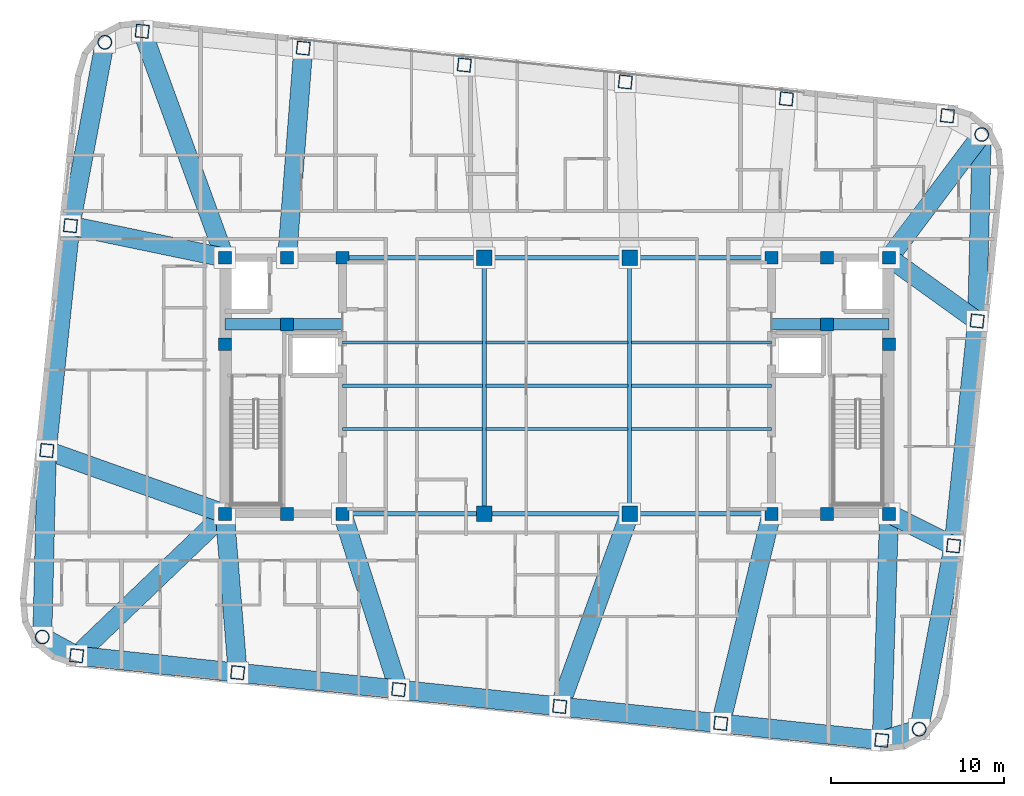
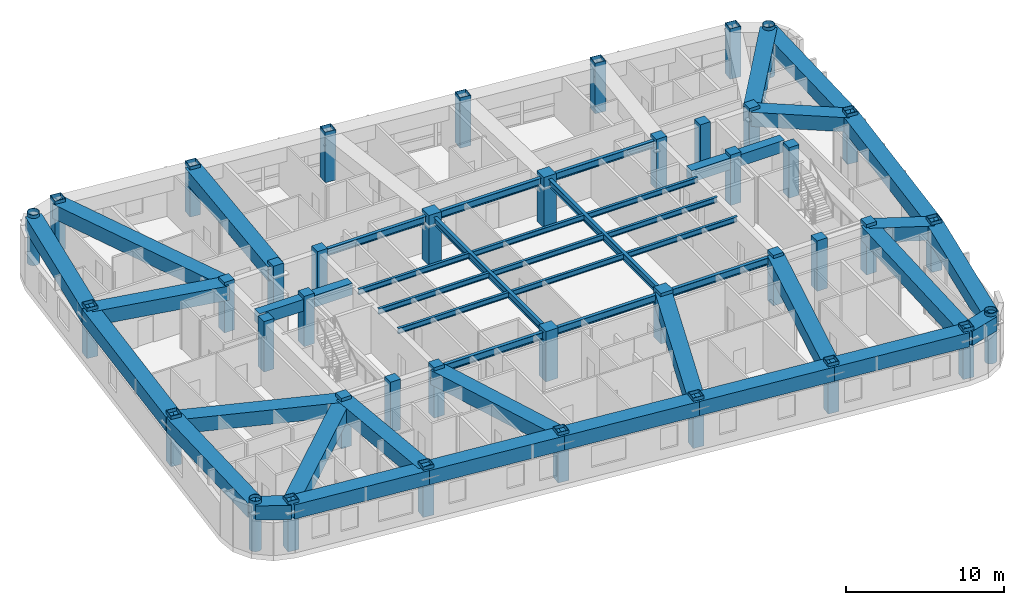
# One storey, part 1 of 16: 45 beams, 40 columns.
"""IFC4 building model written with IfcOpenShell, lengths in metres."""

from ifc_helpers import new_model, si_unit, direction, frame, origin, origin_2d, place, context, subcontext, project, spatial, rectangle, hollow_rectangle, hollow_circle, i_section, extrude, material, material_profile, profile_set, type_object, element, save


model = new_model("IFC4")

# Units and contexts
model_context = context("Model", 3, precision=1e-05, world=origin(), true_north=direction((0.0, 1.0)))
body_context = subcontext(model_context, "Body", "Model", "MODEL_VIEW")
ifc_project = project(units=[si_unit("LENGTHUNIT", "METRE"), si_unit("AREAUNIT", "SQUARE_METRE"), si_unit("VOLUMEUNIT", "CUBIC_METRE"), si_unit("PLANEANGLEUNIT", "RADIAN"), si_unit("MASSUNIT", "GRAM", prefix="KILO")], contexts=[model_context])

# Site, building, storey
site_placement = place(None, origin())
site = spatial("IfcSite", under=ifc_project, at=site_placement, CompositionType="ELEMENT")
building_placement = place(site_placement, origin())
building = spatial("IfcBuilding", under=site, at=building_placement, Name="Voryun Gate Residences", CompositionType="ELEMENT")
storey_placement = place(building_placement, frame((0.0, 0.0, 260.0)))
storey = spatial("IfcBuildingStorey", under=building, at=storey_placement, Name="L64", CompositionType="ELEMENT", Elevation=260.0)

# Columns
ifc_material_1 = material(Name="Concrete C50/60", Category="concrete")
ifc_material_profile_1 = material_profile(ifc_material_1, rectangle(XDim=0.75, YDim=0.75, at=origin_2d()), Name="RC-750x750")
ifc_profile_set_1 = profile_set([ifc_material_profile_1], Name="Concrete C50/60")
column_type_1 = type_object("IfcColumnType", Name="COL_CORE_750", PredefinedType="COLUMN", material=ifc_profile_set_1)
for number, where, z_axis, x_axis, name in (
    (1, (-19.199951171875, -7.39990234375, 0.0), (0.0, 0.0, 1.0), (1.0, 0.0, 0.0), "L64 Core boundary column WC-SW"),
    (2, (-19.199951171875, 2.39990234375, 0.0), (0.0, 0.0, 1.0), (1.0, 0.0, 0.0), "L64 Core boundary column WC-MW"),
    (3, (-19.199951171875, 7.39990234375, 0.0), (0.0, 0.0, 1.0), (1.0, 0.0, 0.0), "L64 Core boundary column WC-NW"),
    (4, (-15.60009765625, -7.39990234375, 0.0), (0.0, 0.0, 1.0), (1.0, 0.0, 0.0), "L64 Core boundary column WC-SM"),
    (5, (-15.60009765625, 7.39990234375, 0.0), (0.0, 0.0, 1.0), (1.0, 0.0, 0.0), "L64 Core boundary column WC-NM"),
    (6, (-12.39990234375, -7.39990234375, 0.0), (0.0, 0.0, 1.0), (1.0, 0.0, 0.0), "L64 Core boundary column WC-SE"),
    (7, (-15.60009765625, 3.550048828125, 0.0), (0.0, 0.0, 1.0), (1.0, 0.0, 0.0), "L64 Core boundary column WC-MM"),
    (8, (-12.39990234375, 7.39990234375, 0.0), (0.0, 0.0, 1.0), (1.0, 0.0, 0.0), "L64 Core boundary column WC-NE"),
    (9, (12.39990234375, -7.39990234375, 0.0), (0.0, 0.0, 1.0), (1.0, 0.0, 0.0), "L64 Core boundary column EC-SW"),
    (10, (15.60009765625, 3.550048828125, 0.0), (0.0, 0.0, 1.0), (1.0, 0.0, 0.0), "L64 Core boundary column EC-MM"),
    (11, (12.39990234375, 7.39990234375, 0.0), (0.0, 0.0, 1.0), (1.0, 0.0, 0.0), "L64 Core boundary column EC-NW"),
    (12, (15.60009765625, -7.39990234375, 0.0), (0.0, 0.0, 1.0), (1.0, 0.0, 0.0), "L64 Core boundary column EC-SM"),
    (13, (15.60009765625, 7.39990234375, 0.0), (0.0, 0.0, 1.0), (1.0, 0.0, 0.0), "L64 Core boundary column EC-NM"),
    (14, (19.199951171875, -7.39990234375, 0.0), (0.0, 0.0, 1.0), (1.0, 0.0, 0.0), "L64 Core boundary column EC-SE"),
    (15, (19.199951171875, 2.39990234375, 0.0), (0.0, 0.0, 1.0), (1.0, 0.0, 0.0), "L64 Core boundary column EC-ME"),
    (16, (19.199951171875, 7.39990234375, 0.0), (0.0, 0.0, 1.0), (1.0, 0.0, 0.0), "L64 Core boundary column EC-NE"),
):
    element("IfcColumn", number, at=place(storey_placement, frame(where, z_axis=z_axis, x_axis=x_axis)), inside=storey, type_object=column_type_1, Name=name, PredefinedType="COLUMN", context=body_context, shape_type="SweptSolid", body=[
        extrude(rectangle(XDim=0.75, YDim=0.75, at=origin_2d()), origin(), (0.0, 0.0, 1.0), 3.89990234375),
    ])
ifc_material_2 = material(Name="Concrete C50/60", Category="concrete")
ifc_material_profile_2 = material_profile(ifc_material_2, rectangle(XDim=0.89990234375, YDim=0.89990234375, at=origin_2d()), Name="RC-900x900")
ifc_profile_set_2 = profile_set([ifc_material_profile_2], Name="Concrete C50/60")
column_type_2 = type_object("IfcColumnType", Name="COL_CORE_900", PredefinedType="COLUMN", material=ifc_profile_set_2)
for number, where, z_axis, x_axis, name in (
    (17, (-4.199951171875, -7.39990234375, 0.0), (0.0, 0.0, 1.0), (1.0, 0.0, 0.0), "L64 Interior spine column SP-WS"),
    (18, (-4.199951171875, 7.39990234375, 0.0), (0.0, 0.0, 1.0), (1.0, 0.0, 0.0), "L64 Interior spine column SP-WN"),
    (19, (4.199951171875, -7.39990234375, 0.0), (0.0, 0.0, 1.0), (1.0, 0.0, 0.0), "L64 Interior spine column SP-ES"),
    (20, (4.199951171875, 7.39990234375, 0.0), (0.0, 0.0, 1.0), (1.0, 0.0, 0.0), "L64 Interior spine column SP-EN"),
):
    element("IfcColumn", number, at=place(storey_placement, frame(where, z_axis=z_axis, x_axis=x_axis)), inside=storey, type_object=column_type_2, Name=name, PredefinedType="COLUMN", context=body_context, shape_type="SweptSolid", body=[
        extrude(rectangle(XDim=0.89990234375, YDim=0.89990234375, at=origin_2d()), origin(), (0.0, 0.0, 1.0), 3.89990234375),
    ])
ifc_material_3 = material(Name="Steel SM355", Category="steel")
ifc_material_profile_3 = material_profile(ifc_material_3, hollow_circle(Radius=0.39990234375, WallThickness=0.028076171875, at=origin_2d()), Name="CHS-800x28")
ifc_profile_set_3 = profile_set([ifc_material_profile_3], Name="Steel SM355")
column_type_3 = type_object("IfcColumnType", Name="COL_CRN_800", PredefinedType="COLUMN", material=ifc_profile_set_3)
for number, where, z_axis, x_axis, name in (
    (21, (20.939453125, -19.855224609375, 0.0), (0.0, 0.0, 1.0), (0.994521895368, -0.104528463268, 0.0), "L64 Exoskeleton column CSE"),
    (22, (24.55322265625, 14.52734375, 0.0), (0.0, 0.0, 1.0), (0.994521895368, -0.104528463268, 0.0), "L64 Exoskeleton column CNE"),
    (23, (-26.139404296875, 19.855224609375, 0.0), (0.0, 0.0, 1.0), (0.994521895368, -0.104528463268, 0.0), "L64 Exoskeleton column CNW"),
    (24, (-29.753173828125, -14.52734375, 0.0), (0.0, 0.0, 1.0), (0.994521895368, -0.104528463268, 0.0), "L64 Exoskeleton column CSW"),
):
    element("IfcColumn", number, at=place(storey_placement, frame(where, z_axis=z_axis, x_axis=x_axis)), inside=storey, type_object=column_type_3, Name=name, PredefinedType="COLUMN", context=body_context, shape_type="SweptSolid", body=[
        extrude(hollow_circle(Radius=0.39990234375, WallThickness=0.028076171875, at=origin_2d()), origin(), (0.0, 0.0, 1.0), 3.89990234375),
    ])
ifc_material_4 = material(Name="Steel SM355", Category="steel")
ifc_material_profile_4 = material_profile(ifc_material_4, hollow_rectangle(XDim=0.75, YDim=0.75, WallThickness=0.02490234375, at=origin_2d()), Name="BOX-750x750x25")
ifc_profile_set_4 = profile_set([ifc_material_profile_4], Name="Steel SM355")
column_type_4 = type_object("IfcColumnType", Name="COL_EXO_B5", PredefinedType="COLUMN", material=ifc_profile_set_4)
for number, where, z_axis, x_axis, name in (
    (25, (-27.76904296875, -15.6044921875, 0.0), (0.0, 0.0, 1.0), (0.994521895368, -0.104528463268, 0.0), "L64 Exoskeleton column S1"),
    (26, (-18.460205078125, -16.5830078125, 0.0), (0.0, 0.0, 1.0), (0.994521895368, -0.104528463268, 0.0), "L64 Exoskeleton column S2"),
    (27, (-9.151611328125, -17.561279296875, 0.0), (0.0, 0.0, 1.0), (0.994521895368, -0.104528463268, 0.0), "L64 Exoskeleton column S3"),
    (28, (0.1572265625, -18.539794921875, 0.0), (0.0, 0.0, 1.0), (0.994521895368, -0.104528463268, 0.0), "L64 Exoskeleton column S4"),
    (29, (9.4658203125, -19.51806640625, 0.0), (0.0, 0.0, 1.0), (0.994521895368, -0.104528463268, 0.0), "L64 Exoskeleton column S5"),
    (30, (18.774658203125, -20.49658203125, 0.0), (0.0, 0.0, 1.0), (0.994521895368, -0.104528463268, 0.0), "L64 Exoskeleton column S6"),
    (31, (22.922607421875, -9.25244140625, 0.0), (0.0, 0.0, 1.0), (0.994521895368, -0.104528463268, 0.0), "L64 Exoskeleton column E1"),
    (32, (24.28857421875, 3.743896484375, 0.0), (0.0, 0.0, 1.0), (0.994521895368, -0.104528463268, 0.0), "L64 Exoskeleton column E2"),
    (33, (22.569091796875, 15.6044921875, 0.0), (0.0, 0.0, 1.0), (0.994521895368, -0.104528463268, 0.0), "L64 Exoskeleton column N1"),
    (34, (13.26025390625, 16.5830078125, 0.0), (0.0, 0.0, 1.0), (0.994521895368, -0.104528463268, 0.0), "L64 Exoskeleton column N2"),
    (35, (3.95166015625, 17.561279296875, 0.0), (0.0, 0.0, 1.0), (0.994521895368, -0.104528463268, 0.0), "L64 Exoskeleton column N3"),
    (36, (-5.357177734375, 18.539794921875, 0.0), (0.0, 0.0, 1.0), (0.994521895368, -0.104528463268, 0.0), "L64 Exoskeleton column N4"),
    (37, (-14.666015625, 19.51806640625, 0.0), (0.0, 0.0, 1.0), (0.994521895368, -0.104528463268, 0.0), "L64 Exoskeleton column N5"),
    (38, (-23.974609375, 20.49658203125, 0.0), (0.0, 0.0, 1.0), (0.994521895368, -0.104528463268, 0.0), "L64 Exoskeleton column N6"),
    (39, (-28.12255859375, 9.25244140625, 0.0), (0.0, 0.0, 1.0), (0.994521895368, -0.104528463268, 0.0), "L64 Exoskeleton column W1"),
    (40, (-29.488525390625, -3.743896484375, 0.0), (0.0, 0.0, 1.0), (0.994521895368, -0.104528463268, 0.0), "L64 Exoskeleton column W2"),
):
    element("IfcColumn", number, at=place(storey_placement, frame(where, z_axis=z_axis, x_axis=x_axis)), inside=storey, type_object=column_type_4, Name=name, PredefinedType="COLUMN", context=body_context, shape_type="SweptSolid", body=[
        extrude(hollow_rectangle(XDim=0.75, YDim=0.75, WallThickness=0.02490234375, at=origin_2d()), origin(), (0.0, 0.0, 1.0), 3.89990234375),
    ])

# Beams
ifc_material_5 = material(Name="Steel SM420", Category="steel")
ifc_material_profile_5 = material_profile(ifc_material_5, hollow_rectangle(XDim=1.10009765625, YDim=1.10009765625, WallThickness=0.035888671875, at=origin_2d()), Name="BOX-1100x1100x36")
ifc_profile_set_5 = profile_set([ifc_material_profile_5], Name="Steel SM420")
beam_type_1 = type_object("IfcBeamType", Name="BM_ARCH_RIB", PredefinedType="USERDEFINED", material=ifc_profile_set_5)
beam_1_placement = place(storey_placement, frame((-27.76904296875, -15.6044921875, 3.10009765625), z_axis=(0.994520592114, -0.104540862157, 0.0), x_axis=(0.104540862157, 0.994520592114, 0.0)))
element("IfcBeam", 41, at=beam_1_placement, inside=storey, type_object=beam_type_1, Name="BM-L64-SPAND-01", ObjectType="GIRDER", PredefinedType="USERDEFINED", context=body_context, shape_type="SweptSolid", body=[
    extrude(hollow_rectangle(XDim=1.10009765625, YDim=1.10009765625, WallThickness=0.035888671875, at=origin_2d()), origin(), (0.0, 0.0, 1.0), 9.360107421875),
])
beam_2_placement = place(storey_placement, frame((-18.460205078125, -16.5830078125, 3.10009765625), z_axis=(0.994523018663, -0.104517775278, 0.0), x_axis=(0.104517775278, 0.994523018663, 0.0)))
element("IfcBeam", 42, at=beam_2_placement, inside=storey, type_object=beam_type_1, Name="BM-L64-SPAND-02", ObjectType="GIRDER", PredefinedType="USERDEFINED", context=body_context, shape_type="SweptSolid", body=[
    extrude(hollow_rectangle(XDim=1.10009765625, YDim=1.10009765625, WallThickness=0.035888671875, at=origin_2d()), origin(), (0.0, 0.0, 1.0), 9.35986328125),
])
beam_3_placement = place(storey_placement, frame((-9.151611328125, -17.561279296875, 3.10009765625), z_axis=(0.994520592114, -0.104540862157, 0.0), x_axis=(0.104540862157, 0.994520592114, 0.0)))
element("IfcBeam", 43, at=beam_3_placement, inside=storey, type_object=beam_type_1, Name="BM-L64-SPAND-03", ObjectType="GIRDER", PredefinedType="USERDEFINED", context=body_context, shape_type="SweptSolid", body=[
    extrude(hollow_rectangle(XDim=1.10009765625, YDim=1.10009765625, WallThickness=0.035888671875, at=origin_2d()), origin(), (0.0, 0.0, 1.0), 9.360107421875),
])
beam_4_placement = place(storey_placement, frame((0.1572265625, -18.539794921875, 3.10009765625), z_axis=(0.994523018663, -0.104517775278, 0.0), x_axis=(0.104517775278, 0.994523018663, 0.0)))
element("IfcBeam", 44, at=beam_4_placement, inside=storey, type_object=beam_type_1, Name="BM-L64-SPAND-04", ObjectType="GIRDER", PredefinedType="USERDEFINED", context=body_context, shape_type="SweptSolid", body=[
    extrude(hollow_rectangle(XDim=1.10009765625, YDim=1.10009765625, WallThickness=0.035888671875, at=origin_2d()), origin(), (0.0, 0.0, 1.0), 9.35986328125),
])
beam_5_placement = place(storey_placement, frame((9.4658203125, -19.51806640625, 3.10009765625), z_axis=(0.994520592114, -0.104540862157, 0.0), x_axis=(0.104540862157, 0.994520592114, 0.0)))
element("IfcBeam", 45, at=beam_5_placement, inside=storey, type_object=beam_type_1, Name="BM-L64-SPAND-05", ObjectType="GIRDER", PredefinedType="USERDEFINED", context=body_context, shape_type="SweptSolid", body=[
    extrude(hollow_rectangle(XDim=1.10009765625, YDim=1.10009765625, WallThickness=0.035888671875, at=origin_2d()), origin(), (0.0, 0.0, 1.0), 9.360107421875),
])
beam_6_placement = place(storey_placement, frame((18.774658203125, -20.49658203125, 3.10009765625), z_axis=(0.958805748412, 0.28406255792, 0.0), x_axis=(-0.28406255792, 0.958805748412, 0.0)))
element("IfcBeam", 46, at=beam_6_placement, inside=storey, type_object=beam_type_1, Name="BM-L64-SPAND-06", ObjectType="GIRDER", PredefinedType="USERDEFINED", context=body_context, shape_type="SweptSolid", body=[
    extrude(hollow_rectangle(XDim=1.10009765625, YDim=1.10009765625, WallThickness=0.035888671875, at=origin_2d()), origin(), (0.0, 0.0, 1.0), 2.2578125),
])
beam_7_placement = place(storey_placement, frame((20.939453125, -19.855224609375, 3.10009765625), z_axis=(0.183852585596, 0.982953827384, 0.0), x_axis=(-0.982953827384, 0.183852585596, 0.0)))
element("IfcBeam", 47, at=beam_7_placement, inside=storey, type_object=beam_type_1, Name="BM-L64-SPAND-07", ObjectType="GIRDER", PredefinedType="USERDEFINED", context=body_context, shape_type="SweptSolid", body=[
    extrude(hollow_rectangle(XDim=1.10009765625, YDim=1.10009765625, WallThickness=0.035888671875, at=origin_2d()), origin(), (0.0, 0.0, 1.0), 10.78662109375),
])
beam_8_placement = place(storey_placement, frame((22.922607421875, -9.25244140625, 3.10009765625), z_axis=(0.104528209082, 0.994521922084, 0.0), x_axis=(-0.994521922084, 0.104528209082, 0.0)))
element("IfcBeam", 48, at=beam_8_placement, inside=storey, type_object=beam_type_1, Name="BM-L64-SPAND-08", ObjectType="GIRDER", PredefinedType="USERDEFINED", context=body_context, shape_type="SweptSolid", body=[
    extrude(hollow_rectangle(XDim=1.10009765625, YDim=1.10009765625, WallThickness=0.035888671875, at=origin_2d()), origin(), (0.0, 0.0, 1.0), 13.06787109375),
])
for number, where, z_axis, x_axis, name in (
    (49, (24.28857421875, 3.743896484375, 3.10009765625), (0.024534711967, 0.999698978647, 0.0), (-0.999698978647, 0.024534711967, 0.0), "BM-L64-SPAND-09"),
    (50, (-26.139404296875, 19.855224609375, 3.10009765625), (-0.183852585596, -0.982953827384, 0.0), (0.982953827384, -0.183852585596, 0.0), "BM-L64-SPAND-17"),
):
    element("IfcBeam", number, at=place(storey_placement, frame(where, z_axis=z_axis, x_axis=x_axis)), inside=storey, type_object=beam_type_1, Name=name, ObjectType="GIRDER", PredefinedType="USERDEFINED", context=body_context, shape_type="SweptSolid", body=[
        extrude(hollow_rectangle(XDim=1.10009765625, YDim=1.10009765625, WallThickness=0.035888671875, at=origin_2d()), origin(), (0.0, 0.0, 1.0), 10.78662109375),
    ])
beam_9_placement = place(storey_placement, frame((-28.12255859375, 9.25244140625, 3.10009765625), z_axis=(-0.104528209082, -0.994521922084, 0.0), x_axis=(0.994521922084, -0.104528209082, 0.0)))
element("IfcBeam", 51, at=beam_9_placement, inside=storey, type_object=beam_type_1, Name="BM-L64-SPAND-18", ObjectType="GIRDER", PredefinedType="USERDEFINED", context=body_context, shape_type="SweptSolid", body=[
    extrude(hollow_rectangle(XDim=1.10009765625, YDim=1.10009765625, WallThickness=0.035888671875, at=origin_2d()), origin(), (0.0, 0.0, 1.0), 13.06787109375),
])
beam_10_placement = place(storey_placement, frame((-29.488525390625, -3.743896484375, 3.10009765625), z_axis=(-0.024534711967, -0.999698978647, 0.0), x_axis=(0.999698978647, -0.024534711967, 0.0)))
element("IfcBeam", 52, at=beam_10_placement, inside=storey, type_object=beam_type_1, Name="BM-L64-SPAND-19", ObjectType="GIRDER", PredefinedType="USERDEFINED", context=body_context, shape_type="SweptSolid", body=[
    extrude(hollow_rectangle(XDim=1.10009765625, YDim=1.10009765625, WallThickness=0.035888671875, at=origin_2d()), origin(), (0.0, 0.0, 1.0), 10.78662109375),
])
beam_11_placement = place(storey_placement, frame((-29.753173828125, -14.52734375, 3.10009765625), z_axis=(0.878844363117, -0.477108567746, 0.0), x_axis=(0.477108567746, 0.878844363117, 0.0)))
element("IfcBeam", 53, at=beam_11_placement, inside=storey, type_object=beam_type_1, Name="BM-L64-SPAND-20", ObjectType="GIRDER", PredefinedType="USERDEFINED", context=body_context, shape_type="SweptSolid", body=[
    extrude(hollow_rectangle(XDim=1.10009765625, YDim=1.10009765625, WallThickness=0.035888671875, at=origin_2d()), origin(), (0.0, 0.0, 1.0), 2.257568359375),
])
beam_12_placement = place(storey_placement, frame((-19.199951171875, -7.39990234375, 3.10009765625), z_axis=(-0.722302104769, -0.691577666966, 0.0), x_axis=(0.691577666966, -0.722302104769, 0.0)))
element("IfcBeam", 54, at=beam_12_placement, inside=storey, type_object=beam_type_1, Name="BM-L64-RAD-S1", ObjectType="GIRDER", PredefinedType="USERDEFINED", context=body_context, shape_type="SweptSolid", body=[
    extrude(hollow_rectangle(XDim=1.10009765625, YDim=1.10009765625, WallThickness=0.035888671875, at=origin_2d()), origin(), (0.0, 0.0, 1.0), 11.863525390625),
])
beam_13_placement = place(storey_placement, frame((-19.199951171875, -7.39990234375, 3.10009765625), z_axis=(0.080295011504, -0.996771142804, 0.0), x_axis=(0.996771142804, 0.080295011504, 0.0)))
element("IfcBeam", 55, at=beam_13_placement, inside=storey, type_object=beam_type_1, Name="BM-L64-RAD-S2", ObjectType="GIRDER", PredefinedType="USERDEFINED", context=body_context, shape_type="SweptSolid", body=[
    extrude(hollow_rectangle(XDim=1.10009765625, YDim=1.10009765625, WallThickness=0.035888671875, at=origin_2d()), origin(), (0.0, 0.0, 1.0), 9.212890625),
])
beam_14_placement = place(storey_placement, frame((-12.39990234375, -7.39990234375, 3.10009765625), z_axis=(0.30449089095, -0.952515247819, 0.0), x_axis=(0.952515247819, 0.30449089095, 0.0)))
element("IfcBeam", 56, at=beam_14_placement, inside=storey, type_object=beam_type_1, Name="BM-L64-RAD-S3", ObjectType="GIRDER", PredefinedType="USERDEFINED", context=body_context, shape_type="SweptSolid", body=[
    extrude(hollow_rectangle(XDim=1.10009765625, YDim=1.10009765625, WallThickness=0.035888671875, at=origin_2d()), origin(), (0.0, 0.0, 1.0), 10.66796875),
])
beam_15_placement = place(storey_placement, frame((4.199951171875, -7.39990234375, 3.10009765625), z_axis=(-0.341135931896, -0.940013976476, 0.0), x_axis=(0.940013976476, -0.341135931896, 0.0)))
element("IfcBeam", 57, at=beam_15_placement, inside=storey, type_object=beam_type_1, Name="BM-L64-RAD-S4", ObjectType="GIRDER", PredefinedType="USERDEFINED", context=body_context, shape_type="SweptSolid", body=[
    extrude(hollow_rectangle(XDim=1.10009765625, YDim=1.10009765625, WallThickness=0.035888671875, at=origin_2d()), origin(), (0.0, 0.0, 1.0), 11.850830078125),
])
beam_16_placement = place(storey_placement, frame((12.39990234375, -7.39990234375, 3.10009765625), z_axis=(-0.235323166357, -0.971917181336, 0.0), x_axis=(0.971917181336, -0.235323166357, 0.0)))
element("IfcBeam", 58, at=beam_16_placement, inside=storey, type_object=beam_type_1, Name="BM-L64-RAD-S5", ObjectType="GIRDER", PredefinedType="USERDEFINED", context=body_context, shape_type="SweptSolid", body=[
    extrude(hollow_rectangle(XDim=1.10009765625, YDim=1.10009765625, WallThickness=0.035888671875, at=origin_2d()), origin(), (0.0, 0.0, 1.0), 12.46826171875),
])
beam_17_placement = place(storey_placement, frame((19.199951171875, -7.39990234375, 3.10009765625), z_axis=(-0.032456234446, -0.999473157641, 0.0), x_axis=(0.999473157641, -0.032456234446, 0.0)))
element("IfcBeam", 59, at=beam_17_placement, inside=storey, type_object=beam_type_1, Name="BM-L64-RAD-S6", ObjectType="GIRDER", PredefinedType="USERDEFINED", context=body_context, shape_type="SweptSolid", body=[
    extrude(hollow_rectangle(XDim=1.10009765625, YDim=1.10009765625, WallThickness=0.035888671875, at=origin_2d()), origin(), (0.0, 0.0, 1.0), 13.103515625),
])
beam_18_placement = place(storey_placement, frame((19.199951171875, -7.39990234375, 3.10009765625), z_axis=(0.895271074172, -0.445521833081, 0.0), x_axis=(0.445521833081, 0.895271074172, 0.0)))
element("IfcBeam", 60, at=beam_18_placement, inside=storey, type_object=beam_type_1, Name="BM-L64-RAD-E1", ObjectType="GIRDER", PredefinedType="USERDEFINED", context=body_context, shape_type="SweptSolid", body=[
    extrude(hollow_rectangle(XDim=1.10009765625, YDim=1.10009765625, WallThickness=0.035888671875, at=origin_2d()), origin(), (0.0, 0.0, 1.0), 4.158203125),
])
beam_19_placement = place(storey_placement, frame((19.199951171875, 7.39990234375, 3.10009765625), z_axis=(0.81212442094, -0.583484297058, 0.0), x_axis=(0.583484297058, 0.81212442094, 0.0)))
element("IfcBeam", 61, at=beam_19_placement, inside=storey, type_object=beam_type_1, Name="BM-L64-RAD-E2", ObjectType="GIRDER", PredefinedType="USERDEFINED", context=body_context, shape_type="SweptSolid", body=[
    extrude(hollow_rectangle(XDim=1.10009765625, YDim=1.10009765625, WallThickness=0.035888671875, at=origin_2d()), origin(), (0.0, 0.0, 1.0), 6.265869140625),
])
beam_20_placement = place(storey_placement, frame((19.199951171875, 7.39990234375, 3.10009765625), z_axis=(0.60055201327, 0.799585692316, 0.0), x_axis=(-0.799585692316, 0.60055201327, 0.0)))
element("IfcBeam", 62, at=beam_20_placement, inside=storey, type_object=beam_type_1, Name="BM-L64-RAD-CNE", ObjectType="GIRDER", PredefinedType="USERDEFINED", context=body_context, shape_type="SweptSolid", body=[
    extrude(hollow_rectangle(XDim=1.10009765625, YDim=1.10009765625, WallThickness=0.035888671875, at=origin_2d()), origin(), (0.0, 0.0, 1.0), 8.913818359375),
])
beam_21_placement = place(storey_placement, frame((-15.60009765625, 7.39990234375, 3.10009765625), z_axis=(0.07685317718, 0.997042420942, 0.0), x_axis=(-0.997042420942, 0.07685317718, 0.0)))
element("IfcBeam", 63, at=beam_21_placement, inside=storey, type_object=beam_type_1, Name="BM-L64-RAD-N5", ObjectType="GIRDER", PredefinedType="USERDEFINED", context=body_context, shape_type="SweptSolid", body=[
    extrude(hollow_rectangle(XDim=1.10009765625, YDim=1.10009765625, WallThickness=0.035888671875, at=origin_2d()), origin(), (0.0, 0.0, 1.0), 12.154052734375),
])
beam_22_placement = place(storey_placement, frame((-19.199951171875, 7.39990234375, 3.10009765625), z_axis=(-0.342517773666, 0.939511348906, 0.0), x_axis=(-0.939511348906, -0.342517773666, 0.0)))
element("IfcBeam", 64, at=beam_22_placement, inside=storey, type_object=beam_type_1, Name="BM-L64-RAD-N6", ObjectType="GIRDER", PredefinedType="USERDEFINED", context=body_context, shape_type="SweptSolid", body=[
    extrude(hollow_rectangle(XDim=1.10009765625, YDim=1.10009765625, WallThickness=0.035888671875, at=origin_2d()), origin(), (0.0, 0.0, 1.0), 13.93994140625),
])
beam_23_placement = place(storey_placement, frame((-19.199951171875, 7.39990234375, 3.10009765625), z_axis=(-0.979119049711, 0.203287693907, 0.0), x_axis=(-0.203287693907, -0.979119049711, 0.0)))
element("IfcBeam", 65, at=beam_23_placement, inside=storey, type_object=beam_type_1, Name="BM-L64-RAD-W1", ObjectType="GIRDER", PredefinedType="USERDEFINED", context=body_context, shape_type="SweptSolid", body=[
    extrude(hollow_rectangle(XDim=1.10009765625, YDim=1.10009765625, WallThickness=0.035888671875, at=origin_2d()), origin(), (0.0, 0.0, 1.0), 9.11279296875),
])
beam_24_placement = place(storey_placement, frame((-19.199951171875, -7.39990234375, 3.10009765625), z_axis=(-0.942276939669, 0.334834539688, 0.0), x_axis=(-0.334834539688, -0.942276939669, 0.0)))
element("IfcBeam", 66, at=beam_24_placement, inside=storey, type_object=beam_type_1, Name="BM-L64-RAD-W2", ObjectType="GIRDER", PredefinedType="USERDEFINED", context=body_context, shape_type="SweptSolid", body=[
    extrude(hollow_rectangle(XDim=1.10009765625, YDim=1.10009765625, WallThickness=0.035888671875, at=origin_2d()), origin(), (0.0, 0.0, 1.0), 10.9189453125),
])
ifc_material_6 = material(Name="Concrete C60/75", Category="concrete")
ifc_material_profile_6 = material_profile(ifc_material_6, rectangle(XDim=0.64990234375, YDim=0.89990234375, at=origin_2d()), Name="RC-650x900")
ifc_profile_set_6 = profile_set([ifc_material_profile_6], Name="Concrete C60/75")
beam_type_2 = type_object("IfcBeamType", Name="BM_COUP_RC900", PredefinedType="LINTEL", material=ifc_profile_set_6)
for number, where, z_axis, x_axis, name in (
    (67, (-19.199951171875, 3.550048828125, 3.199951171875), (1.0, 0.0, 0.0), (0.0, 1.0, 0.0), "BM-L64-WC1"),
    (68, (12.39990234375, 3.550048828125, 3.199951171875), (1.0, 0.0, 0.0), (0.0, 1.0, 0.0), "BM-L64-EC1"),
):
    element("IfcBeam", number, at=place(storey_placement, frame(where, z_axis=z_axis, x_axis=x_axis)), inside=storey, type_object=beam_type_2, Name=name, PredefinedType="LINTEL", context=body_context, shape_type="SweptSolid", body=[
        extrude(rectangle(XDim=0.64990234375, YDim=0.89990234375, at=origin_2d()), origin(), (0.0, 0.0, 1.0), 6.800048828125),
    ])
ifc_material_7 = material(Name="Steel SM355", Category="steel")
ifc_material_profile_7 = material_profile(ifc_material_7, i_section(OverallWidth=0.239990234375, OverallDepth=0.550048828125, WebThickness=0.011962890625, FlangeThickness=0.02001953125, FilletRadius=0.01806640625, at=origin_2d()), Name="H-550x240x12x20")
ifc_profile_set_7 = profile_set([ifc_material_profile_7], Name="Steel SM355")
beam_type_3 = type_object("IfcBeamType", Name="BM_GIRD_550", PredefinedType="USERDEFINED", material=ifc_profile_set_7)
beam_25_placement = place(storey_placement, frame((-12.39990234375, -7.39990234375, 3.375), z_axis=(1.0, 0.0, 0.0), x_axis=(0.0, 1.0, 0.0)))
element("IfcBeam", 69, at=beam_25_placement, inside=storey, type_object=beam_type_3, Name="BM-L64-SPG1-S", ObjectType="GIRDER", PredefinedType="USERDEFINED", context=body_context, shape_type="SweptSolid", body=[
    extrude(i_section(OverallWidth=0.239990234375, OverallDepth=0.550048828125, WebThickness=0.011962890625, FlangeThickness=0.02001953125, FilletRadius=0.01806640625, at=origin_2d()), origin(), (0.0, 0.0, 1.0), 8.199951171875),
])
beam_26_placement = place(storey_placement, frame((-4.199951171875, -7.39990234375, 3.375), z_axis=(1.0, 0.0, 0.0), x_axis=(0.0, 1.0, 0.0)))
element("IfcBeam", 70, at=beam_26_placement, inside=storey, type_object=beam_type_3, Name="BM-L64-SPG2-S", ObjectType="GIRDER", PredefinedType="USERDEFINED", context=body_context, shape_type="SweptSolid", body=[
    extrude(i_section(OverallWidth=0.239990234375, OverallDepth=0.550048828125, WebThickness=0.011962890625, FlangeThickness=0.02001953125, FilletRadius=0.01806640625, at=origin_2d()), origin(), (0.0, 0.0, 1.0), 8.39990234375),
])
for number, where, z_axis, x_axis, name in (
    (71, (4.199951171875, -7.39990234375, 3.375), (1.0, 0.0, 0.0), (0.0, 1.0, 0.0), "BM-L64-SPG3-S"),
    (72, (-12.39990234375, 7.39990234375, 3.375), (1.0, 0.0, 0.0), (0.0, 1.0, 0.0), "BM-L64-SPG1-N"),
):
    element("IfcBeam", number, at=place(storey_placement, frame(where, z_axis=z_axis, x_axis=x_axis)), inside=storey, type_object=beam_type_3, Name=name, ObjectType="GIRDER", PredefinedType="USERDEFINED", context=body_context, shape_type="SweptSolid", body=[
        extrude(i_section(OverallWidth=0.239990234375, OverallDepth=0.550048828125, WebThickness=0.011962890625, FlangeThickness=0.02001953125, FilletRadius=0.01806640625, at=origin_2d()), origin(), (0.0, 0.0, 1.0), 8.199951171875),
    ])
beam_27_placement = place(storey_placement, frame((-4.199951171875, 7.39990234375, 3.375), z_axis=(1.0, 0.0, 0.0), x_axis=(0.0, 1.0, 0.0)))
element("IfcBeam", 73, at=beam_27_placement, inside=storey, type_object=beam_type_3, Name="BM-L64-SPG2-N", ObjectType="GIRDER", PredefinedType="USERDEFINED", context=body_context, shape_type="SweptSolid", body=[
    extrude(i_section(OverallWidth=0.239990234375, OverallDepth=0.550048828125, WebThickness=0.011962890625, FlangeThickness=0.02001953125, FilletRadius=0.01806640625, at=origin_2d()), origin(), (0.0, 0.0, 1.0), 8.39990234375),
])
beam_28_placement = place(storey_placement, frame((4.199951171875, 7.39990234375, 3.375), z_axis=(1.0, 0.0, 0.0), x_axis=(0.0, 1.0, 0.0)))
element("IfcBeam", 74, at=beam_28_placement, inside=storey, type_object=beam_type_3, Name="BM-L64-SPG3-N", ObjectType="GIRDER", PredefinedType="USERDEFINED", context=body_context, shape_type="SweptSolid", body=[
    extrude(i_section(OverallWidth=0.239990234375, OverallDepth=0.550048828125, WebThickness=0.011962890625, FlangeThickness=0.02001953125, FilletRadius=0.01806640625, at=origin_2d()), origin(), (0.0, 0.0, 1.0), 8.199951171875),
])
for number, where, z_axis, x_axis, name in (
    (75, (-4.199951171875, -7.39990234375, 3.375), (0.0, 1.0, 0.0), (-1.0, 0.0, 0.0), "BM-L64-SPX-W"),
    (76, (4.199951171875, -7.39990234375, 3.375), (0.0, 1.0, 0.0), (-1.0, 0.0, 0.0), "BM-L64-SPX-E"),
):
    element("IfcBeam", number, at=place(storey_placement, frame(where, z_axis=z_axis, x_axis=x_axis)), inside=storey, type_object=beam_type_3, Name=name, ObjectType="GIRDER", PredefinedType="USERDEFINED", context=body_context, shape_type="SweptSolid", body=[
        extrude(i_section(OverallWidth=0.239990234375, OverallDepth=0.550048828125, WebThickness=0.011962890625, FlangeThickness=0.02001953125, FilletRadius=0.01806640625, at=origin_2d()), origin(), (0.0, 0.0, 1.0), 14.7998046875),
    ])
ifc_material_8 = material(Name="Steel SM355", Category="steel")
ifc_material_profile_8 = material_profile(ifc_material_8, i_section(OverallWidth=0.18994140625, OverallDepth=0.419921875, WebThickness=0.009033203125, FlangeThickness=0.01611328125, FilletRadius=0.01806640625, at=origin_2d()), Name="H-420x190x9x16")
ifc_profile_set_8 = profile_set([ifc_material_profile_8], Name="Steel SM355")
beam_type_4 = type_object("IfcBeamType", Name="BM_SEC_420", PredefinedType="BEAM", material=ifc_profile_set_8)
beam_29_placement = place(storey_placement, frame((-12.39990234375, -2.5, 3.43994140625), z_axis=(1.0, 0.0, 0.0), x_axis=(0.0, 1.0, 0.0)))
element("IfcBeam", 77, at=beam_29_placement, inside=storey, type_object=beam_type_4, Name="BM-L64-SEC-CS1", PredefinedType="BEAM", context=body_context, shape_type="SweptSolid", body=[
    extrude(i_section(OverallWidth=0.18994140625, OverallDepth=0.419921875, WebThickness=0.009033203125, FlangeThickness=0.01611328125, FilletRadius=0.01806640625, at=origin_2d()), origin(), (0.0, 0.0, 1.0), 8.099853515625),
])
beam_30_placement = place(storey_placement, frame((-4.10009765625, -2.5, 3.43994140625), z_axis=(1.0, 0.0, 0.0), x_axis=(0.0, 1.0, 0.0)))
element("IfcBeam", 78, at=beam_30_placement, inside=storey, type_object=beam_type_4, Name="BM-L64-SEC-CS2", PredefinedType="BEAM", context=body_context, shape_type="SweptSolid", body=[
    extrude(i_section(OverallWidth=0.18994140625, OverallDepth=0.419921875, WebThickness=0.009033203125, FlangeThickness=0.01611328125, FilletRadius=0.01806640625, at=origin_2d()), origin(), (0.0, 0.0, 1.0), 8.2001953125),
])
for number, where, z_axis, x_axis, name in (
    (79, (4.300048828125, -2.5, 3.43994140625), (1.0, 0.0, 0.0), (0.0, 1.0, 0.0), "BM-L64-SEC-CS3"),
    (80, (-12.39990234375, 0.0, 3.43994140625), (1.0, 0.0, 0.0), (0.0, 1.0, 0.0), "BM-L64-SEC-CM1"),
):
    element("IfcBeam", number, at=place(storey_placement, frame(where, z_axis=z_axis, x_axis=x_axis)), inside=storey, type_object=beam_type_4, Name=name, PredefinedType="BEAM", context=body_context, shape_type="SweptSolid", body=[
        extrude(i_section(OverallWidth=0.18994140625, OverallDepth=0.419921875, WebThickness=0.009033203125, FlangeThickness=0.01611328125, FilletRadius=0.01806640625, at=origin_2d()), origin(), (0.0, 0.0, 1.0), 8.099853515625),
    ])
beam_31_placement = place(storey_placement, frame((-4.10009765625, 0.0, 3.43994140625), z_axis=(1.0, 0.0, 0.0), x_axis=(0.0, 1.0, 0.0)))
element("IfcBeam", 81, at=beam_31_placement, inside=storey, type_object=beam_type_4, Name="BM-L64-SEC-CM2", PredefinedType="BEAM", context=body_context, shape_type="SweptSolid", body=[
    extrude(i_section(OverallWidth=0.18994140625, OverallDepth=0.419921875, WebThickness=0.009033203125, FlangeThickness=0.01611328125, FilletRadius=0.01806640625, at=origin_2d()), origin(), (0.0, 0.0, 1.0), 8.2001953125),
])
for number, where, z_axis, x_axis, name in (
    (82, (4.300048828125, 0.0, 3.43994140625), (1.0, 0.0, 0.0), (0.0, 1.0, 0.0), "BM-L64-SEC-CM3"),
    (83, (-12.39990234375, 2.5, 3.43994140625), (1.0, 0.0, 0.0), (0.0, 1.0, 0.0), "BM-L64-SEC-CN1"),
):
    element("IfcBeam", number, at=place(storey_placement, frame(where, z_axis=z_axis, x_axis=x_axis)), inside=storey, type_object=beam_type_4, Name=name, PredefinedType="BEAM", context=body_context, shape_type="SweptSolid", body=[
        extrude(i_section(OverallWidth=0.18994140625, OverallDepth=0.419921875, WebThickness=0.009033203125, FlangeThickness=0.01611328125, FilletRadius=0.01806640625, at=origin_2d()), origin(), (0.0, 0.0, 1.0), 8.099853515625),
    ])
beam_32_placement = place(storey_placement, frame((-4.10009765625, 2.5, 3.43994140625), z_axis=(1.0, 0.0, 0.0), x_axis=(0.0, 1.0, 0.0)))
element("IfcBeam", 84, at=beam_32_placement, inside=storey, type_object=beam_type_4, Name="BM-L64-SEC-CN2", PredefinedType="BEAM", context=body_context, shape_type="SweptSolid", body=[
    extrude(i_section(OverallWidth=0.18994140625, OverallDepth=0.419921875, WebThickness=0.009033203125, FlangeThickness=0.01611328125, FilletRadius=0.01806640625, at=origin_2d()), origin(), (0.0, 0.0, 1.0), 8.2001953125),
])
beam_33_placement = place(storey_placement, frame((4.300048828125, 2.5, 3.43994140625), z_axis=(1.0, 0.0, 0.0), x_axis=(0.0, 1.0, 0.0)))
element("IfcBeam", 85, at=beam_33_placement, inside=storey, type_object=beam_type_4, Name="BM-L64-SEC-CN3", PredefinedType="BEAM", context=body_context, shape_type="SweptSolid", body=[
    extrude(i_section(OverallWidth=0.18994140625, OverallDepth=0.419921875, WebThickness=0.009033203125, FlangeThickness=0.01611328125, FilletRadius=0.01806640625, at=origin_2d()), origin(), (0.0, 0.0, 1.0), 8.099853515625),
])

save(model, "model.ifc")
